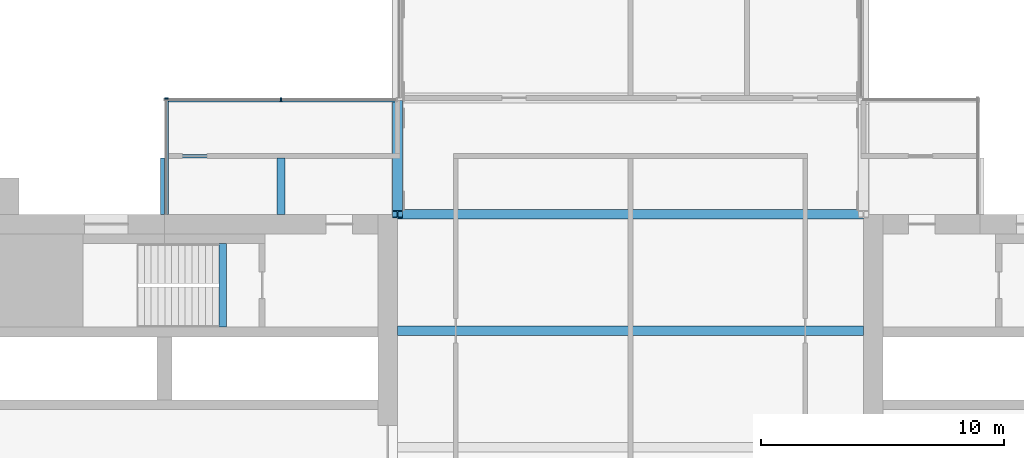
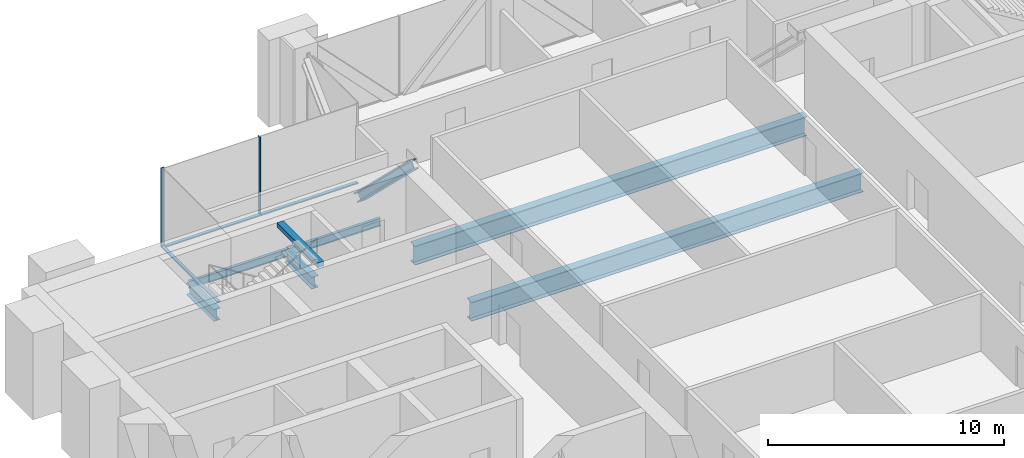
# One storey, part 5 of 13: 6 beams, 5 members, 2 elements without a shape of their own.
"""IFC4 building model written with IfcOpenShell, lengths in metres."""

import ifcopenshell
import ifcopenshell.guid

model = None  # the IFC model being written
_history = None  # IfcOwnerHistory: only IFC2X3 demands one
_inside = {}  # id of a spatial element -> (the spatial element, [elements in it])
_under = {}  # id of a project, library or spatial element -> (it, [spatial elements below it])
_declared = {}  # id of a project -> (the project, [libraries it declares])
_typed = {}  # id of a type object -> (the type object, [elements of that type])
_made_of = {}  # id of a material, layer set ... -> (it, [elements and type objects made of it])


def new_model(schema):
    """Start an empty IFC model of exactly this schema.

    Asked for "IFC4X3", IfcOpenShell would pick the latest addendum, in which some entities
    have other attributes; the version numbers below select the first issue.
    IFC2X3 requires an IfcOwnerHistory on every rooted entity: one is made here for all.
    """
    global model, _history
    if schema == "IFC4X3":
        model = ifcopenshell.file(schema_version=(4, 3, 0, 0))
    else:
        model = ifcopenshell.file(schema=schema)
    _inside.clear()
    _under.clear()
    _declared.clear()
    _typed.clear()
    _made_of.clear()
    _history = None
    if model.schema == "IFC2X3":
        org = make("IfcOrganization", Name="unknown")
        user = make(
            "IfcPersonAndOrganization",
            ThePerson=make("IfcPerson", FamilyName="unknown"),
            TheOrganization=org,
        )
        app = make(
            "IfcApplication",
            ApplicationDeveloper=org,
            Version="unknown",
            ApplicationFullName="unknown",
            ApplicationIdentifier="unknown",
        )
        _history = make(
            "IfcOwnerHistory",
            OwningUser=user,
            OwningApplication=app,
            ChangeAction="ADDED",
            CreationDate=0,
        )
    return model


def make(cls, **values):
    """One entity of the class cls with the attributes given. An attribute that is None is left unset."""
    return model.create_entity(
        cls, **{name: value for name, value in values.items() if value is not None}
    )


def rooted(cls, **values):
    """An entity with a GlobalId (a new one), such as an element, a storey or a relation."""
    return make(cls, GlobalId=ifcopenshell.guid.new(), OwnerHistory=_history, **values)


def si_unit(unit_type, name, prefix=None):
    """IfcSIUnit, for example si_unit("LENGTHUNIT", "METRE", prefix="MILLI")."""
    return make("IfcSIUnit", UnitType=unit_type, Prefix=prefix, Name=name)


def assignment(units):
    """IfcUnitAssignment: the units of a project."""
    return None if units is None else make("IfcUnitAssignment", Units=units)


def point(xyz):
    """IfcCartesianPoint."""
    return None if xyz is None else make("IfcCartesianPoint", Coordinates=xyz)


def direction(xyz):
    """IfcDirection."""
    return None if xyz is None else make("IfcDirection", DirectionRatios=xyz)


def frame(location, z_axis=None, x_axis=None):
    """IfcAxis2Placement3D, a coordinate frame: its origin and axes. An axis left out is left unset."""
    return make(
        "IfcAxis2Placement3D",
        Location=point(location),
        Axis=direction(z_axis),
        RefDirection=direction(x_axis),
    )


def frame_2d(location, x_axis=None):
    """IfcAxis2Placement2D, a coordinate frame in the plane: its origin and x axis."""
    return make(
        "IfcAxis2Placement2D", Location=point(location), RefDirection=direction(x_axis)
    )


def origin():
    """The frame at (0, 0, 0) with its axes left unset."""
    return frame((0.0, 0.0, 0.0))


def origin_2d():
    """The frame at (0, 0) in the plane with its x axis left unset."""
    return frame_2d((0.0, 0.0))


def place(relative_to, where):
    """IfcLocalPlacement: puts the frame where relative to a parent placement (None: the world)."""
    return make(
        "IfcLocalPlacement", PlacementRelTo=relative_to, RelativePlacement=where
    )


def context(
    kind, dimensions, precision=None, world=None, true_north=None, identifier=None
):
    """IfcGeometricRepresentationContext, for example the 3D "Model" context."""
    return make(
        "IfcGeometricRepresentationContext",
        ContextIdentifier=identifier,
        ContextType=kind,
        CoordinateSpaceDimension=dimensions,
        Precision=precision,
        WorldCoordinateSystem=world,
        TrueNorth=true_north,
    )


def subcontext(parent, identifier, kind, view, scale=None):
    """IfcGeometricRepresentationSubContext, for example "Body" below "Model"."""
    return make(
        "IfcGeometricRepresentationSubContext",
        ContextIdentifier=identifier,
        ContextType=kind,
        ParentContext=parent,
        TargetScale=scale,
        TargetView=view,
    )


def project(units=None, contexts=None):
    """IfcProject with its units and contexts."""
    return rooted(
        "IfcProject",
        Name="project",
        RepresentationContexts=contexts,
        UnitsInContext=assignment(units),
    )


def spatial(cls, under=None, at=None, **own):
    """A site, building, storey or space (cls), placed at a placement, below another one or the project."""
    s = rooted(cls, ObjectPlacement=at, **own)
    if under is not None:
        _under.setdefault(under.id(), (under, []))[1].append(s)
    return s


def profile(cls, at=None, kind="AREA", **sizes):
    """A parametric profile (cls). Its sizes go by their IFC names, for example OverallWidth=200.0."""
    return make(cls, ProfileType=kind, Position=at, **sizes)


def rectangle(**sizes):
    """IfcRectangleProfileDef."""
    return profile("IfcRectangleProfileDef", **sizes)


def i_section(**sizes):
    """IfcIShapeProfileDef."""
    return profile("IfcIShapeProfileDef", **sizes)


def extrude(swept, where, along, depth):
    """IfcExtrudedAreaSolid: the profile swept, set in the frame where, extruded along a direction by depth."""
    return make(
        "IfcExtrudedAreaSolid",
        SweptArea=swept,
        Position=where,
        ExtrudedDirection=direction(along),
        Depth=depth,
    )


def shape(context_of_items, identifier, shape_type, items):
    """IfcShapeRepresentation: the items that make up one representation, for example the "Body"."""
    return make(
        "IfcShapeRepresentation",
        ContextOfItems=context_of_items,
        RepresentationIdentifier=identifier,
        RepresentationType=shape_type,
        Items=items,
    )


def material(Name=None, Category=None):
    """IfcMaterial."""
    return make("IfcMaterial", Name=Name, Category=Category)


def material_profile(
    of_material, cross_section, Name=None, Category=None, Priority=None
):
    """IfcMaterialProfile: a cross section and its material."""
    return make(
        "IfcMaterialProfile",
        Name=Name,
        Material=of_material,
        Profile=cross_section,
        Priority=Priority,
        Category=Category,
    )


def profile_set(profiles, Name=None, composite=None):
    """IfcMaterialProfileSet."""
    return make(
        "IfcMaterialProfileSet",
        Name=Name,
        MaterialProfiles=profiles,
        CompositeProfile=composite,
    )


def made_of(thing, what):
    """Note that an element or type object is made of a material, layer set ...; save() writes the relation."""
    if what is not None:
        _made_of.setdefault(what.id(), (what, []))[1].append(thing)
    return thing


def type_object(cls, material=None, **own):
    """A type object (cls), such as IfcWallType, which elements share."""
    return made_of(rooted(cls, **own), material)


def element(
    cls,
    number,
    at=None,
    inside=None,
    cuts=None,
    type_object=None,
    material=None,
    context=None,
    identifier="Body",
    shape_type=None,
    held_by="IfcProductDefinitionShape",
    body=None,
    shapes=None,
    **own,
):
    """One element of the class cls, such as IfcWall. Its Tag is "e" and its number.

    at: its placement. inside: the storey or other place that contains it. cuts: it is an
    opening in that element (IfcRelVoidsElement). A single representation is given by context,
    identifier, shape_type and body (its items); several are given by shapes. held_by: the class
    of the entity that holds the representations. save() writes the other relations.
    """
    e = rooted(cls, Tag="e%d" % number, ObjectPlacement=at, **own)
    if body is not None:
        shapes = [shape(context, identifier, shape_type, body)]
    if shapes is not None:
        e.Representation = make(held_by, Representations=shapes)
    if inside is not None:
        _inside.setdefault(inside.id(), (inside, []))[1].append(e)
    if cuts is not None:
        rooted(
            "IfcRelVoidsElement", RelatingBuildingElement=cuts, RelatedOpeningElement=e
        )
    if type_object is not None:
        _typed.setdefault(type_object.id(), (type_object, []))[1].append(e)
    return made_of(e, material)


def aggregate(whole, parts):
    """IfcRelAggregates: a whole, such as a stair, and the parts it consists of."""
    return rooted("IfcRelAggregates", RelatingObject=whole, RelatedObjects=parts)


def save(model, path):
    """Write the relations noted so far, then the file.

    IfcRelAggregates (storeys below a building ...), IfcRelContainedInSpatialStructure (elements
    in a storey), IfcRelDefinesByType, IfcRelAssociatesMaterial and IfcRelDeclares: one each for
    every whole, place, type object, material and project.
    """
    for whole, parts in _under.values():
        aggregate(whole, parts)
    for where, things in _inside.values():
        rooted(
            "IfcRelContainedInSpatialStructure",
            RelatedElements=things,
            RelatingStructure=where,
        )
    for kind, things in _typed.values():
        rooted("IfcRelDefinesByType", RelatedObjects=things, RelatingType=kind)
    for what, things in _made_of.values():
        rooted("IfcRelAssociatesMaterial", RelatedObjects=things, RelatingMaterial=what)
    for by, libraries in _declared.values():
        rooted("IfcRelDeclares", RelatingContext=by, RelatedDefinitions=libraries)
    model.write(path)


model = new_model("IFC4")

# Units and contexts
model_context = context("Model", 3, precision=1e-05, world=origin(), true_north=direction((0.0, 1.0)))
body_context = subcontext(model_context, "Body", "Model", "MODEL_VIEW")
ifc_project = project(units=[si_unit("LENGTHUNIT", "METRE"), si_unit("AREAUNIT", "SQUARE_METRE"), si_unit("VOLUMEUNIT", "CUBIC_METRE"), si_unit("PLANEANGLEUNIT", "RADIAN"), si_unit("MASSUNIT", "GRAM", prefix="KILO")], contexts=[model_context])

# Site, building, storey
site_placement = place(None, origin())
site = spatial("IfcSite", under=ifc_project, at=site_placement, CompositionType="ELEMENT")
building_placement = place(site_placement, origin())
building = spatial("IfcBuilding", under=site, at=building_placement, Name="Baori Bourse Tower", CompositionType="ELEMENT")
storey_placement = place(building_placement, frame((0.0, 0.0, 265.199951171875)))
storey = spatial("IfcBuildingStorey", under=building, at=storey_placement, Name="L59", CompositionType="ELEMENT", Elevation=265.199951171875)

# Curtain wall, member
ifc_material_1 = material(Name="Pale anodised aluminium", Category="aluminium")
curtain_wall_type = type_object("IfcCurtainWallType", Name="CW3 Curtain wall", PredefinedType="NOTDEFINED", material=ifc_material_1)
curtain_wall_1_placement = place(storey_placement, origin())
curtain_wall_1 = element("IfcCurtainWall", 1, at=curtain_wall_1_placement, inside=storey, type_object=curtain_wall_type, Name="Curtain wall CW3 L59 6", PredefinedType="NOTDEFINED")
ifc_material_2 = material(Name="Pale anodised aluminium", Category="aluminium")
ifc_material_profile_1 = material_profile(ifc_material_2, rectangle(XDim=0.159912109375, YDim=0.050048828125, at=origin_2d()), Name="Mullion 50x160")
ifc_profile_set_1 = profile_set([ifc_material_profile_1], Name="Pale anodised aluminium")
member_type_1 = type_object("IfcMemberType", Name="CW3 Curtain wall mullion", PredefinedType="MULLION", material=ifc_profile_set_1)
member_1_placement = place(storey_placement, frame((14.39990234375, 43.1201171875, 0.06005859375), z_axis=(0.0, 0.0, 1.0), x_axis=(0.0, -1.0, 0.0)))
member_1 = element("IfcMember", 2, at=member_1_placement, type_object=member_type_1, Name="Curtain wall CW3 mullion", PredefinedType="MULLION", context=body_context, shape_type="SweptSolid", body=[
    extrude(rectangle(XDim=0.159912109375, YDim=0.050048828125, at=origin_2d()), origin(), (0.0, 0.0, 1.0), 4.0400390625),
])

curtain_wall_2_placement = place(storey_placement, origin())
curtain_wall_2 = element("IfcCurtainWall", 3, at=curtain_wall_2_placement, inside=storey, type_object=curtain_wall_type, Name="Curtain wall CW3 L59 7", PredefinedType="NOTDEFINED")
member_2_placement = place(storey_placement, frame((9.679931640625, 43.175048828125, 0.06005859375), z_axis=(0.0, 0.0, 1.0), x_axis=(1.0, 0.0, 0.0)))
member_2 = element("IfcMember", 4, at=member_2_placement, type_object=member_type_1, Name="Curtain wall CW3 mullion", PredefinedType="MULLION", context=body_context, shape_type="SweptSolid", body=[
    extrude(rectangle(XDim=0.159912109375, YDim=0.050048828125, at=origin_2d()), origin(), (0.0, 0.0, 1.0), 4.0400390625),
])

# Member
ifc_material_3 = material(Name="Pale anodised aluminium", Category="aluminium")
ifc_material_profile_2 = material_profile(ifc_material_3, rectangle(XDim=0.159912109375, YDim=0.06005859375, at=origin_2d()), Name="Transom 60x160")
ifc_profile_set_2 = profile_set([ifc_material_profile_2], Name="Pale anodised aluminium")
member_type_2 = type_object("IfcMemberType", Name="CW3 Curtain wall transom", PredefinedType="USERDEFINED", material=ifc_profile_set_2)
member_3_placement = place(storey_placement, frame((19.199951171875, 43.1201171875, 0.030029296875), z_axis=(-1.0, 0.0, 0.0), x_axis=(0.0, -1.0, 0.0)))
member_3 = element("IfcMember", 5, at=member_3_placement, type_object=member_type_2, Name="Curtain wall CW3 sill rail", ObjectType="TRANSOM", PredefinedType="USERDEFINED", context=body_context, shape_type="SweptSolid", body=[
    extrude(rectangle(XDim=0.159912109375, YDim=0.06005859375, at=origin_2d()), origin(), (0.0, 0.0, 1.0), 9.599853515625),
])

aggregate(curtain_wall_1, [member_3, member_1])

member_4_placement = place(storey_placement, frame((9.679931640625, 43.199951171875, 0.030029296875), z_axis=(0.0, -1.0, 0.0), x_axis=(1.0, 0.0, 0.0)))
member_4 = element("IfcMember", 6, at=member_4_placement, type_object=member_type_2, Name="Curtain wall CW3 sill rail", ObjectType="TRANSOM", PredefinedType="USERDEFINED", context=body_context, shape_type="SweptSolid", body=[
    extrude(rectangle(XDim=0.159912109375, YDim=0.06005859375, at=origin_2d()), origin(), (0.0, 0.0, 1.0), 4.800048828125),
])

aggregate(curtain_wall_2, [member_4, member_2])

# Beams
ifc_material_4 = material(Name="Steel A992 Gr 50", Category="steel")
ifc_material_profile_3 = material_profile(ifc_material_4, i_section(OverallWidth=0.3251953125, OverallDepth=0.612060546875, WebThickness=0.0126953125, FlangeThickness=0.01904296875, at=origin_2d()), Name="W24x104")
ifc_profile_set_3 = profile_set([ifc_material_profile_3], Name="Steel A992 Gr 50")
beam_type_1 = type_object("IfcBeamType", Name="Core bracket W24x104", PredefinedType="BEAM", material=ifc_profile_set_3)
for number, where, z_axis, x_axis, name in (
    (7, (9.60009765625, 38.39990234375, -0.60595703125), (0.0, 1.0, 0.0), (-1.0, 0.0, 0.0), "Core bracket L59"),
    (8, (14.39990234375, 38.39990234375, -0.60595703125), (0.0, 1.0, 0.0), (-1.0, 0.0, 0.0), "Core bracket L59"),
):
    element("IfcBeam", number, at=place(storey_placement, frame(where, z_axis=z_axis, x_axis=x_axis)), inside=storey, type_object=beam_type_1, Name=name, PredefinedType="BEAM", context=body_context, shape_type="SweptSolid", body=[
        extrude(i_section(OverallWidth=0.3251953125, OverallDepth=0.612060546875, WebThickness=0.0126953125, FlangeThickness=0.01904296875, at=origin_2d()), origin(), (0.0, 0.0, 1.0), 2.329833984375),
    ])
ifc_material_5 = material(Name="Steel A992 Gr 50", Category="steel")
ifc_material_profile_4 = material_profile(ifc_material_5, i_section(OverallWidth=0.4013671875, OverallDepth=0.990478515625, WebThickness=0.0166015625, FlangeThickness=0.031005859375, at=origin_2d()), Name="W40x215")
ifc_profile_set_4 = profile_set([ifc_material_profile_4], Name="Steel A992 Gr 50")
beam_type_2 = type_object("IfcBeamType", Name="Floor beam W40x215", PredefinedType="BEAM", material=ifc_profile_set_4)
for number, where, z_axis, x_axis, name in (
    (9, (19.199951171875, 33.60009765625, -0.795166015625), (1.0, 0.0, 0.0), (0.0, 1.0, 0.0), "Floor beam L59"),
    (10, (19.199951171875, 38.39990234375, -0.795166015625), (1.0, 0.0, 0.0), (0.0, 1.0, 0.0), "Floor beam L59"),
):
    element("IfcBeam", number, at=place(storey_placement, frame(where, z_axis=z_axis, x_axis=x_axis)), inside=storey, type_object=beam_type_2, Name=name, PredefinedType="BEAM", context=body_context, shape_type="SweptSolid", body=[
        extrude(i_section(OverallWidth=0.4013671875, OverallDepth=0.990478515625, WebThickness=0.0166015625, FlangeThickness=0.031005859375, at=origin_2d()), origin(), (0.0, 0.0, 1.0), 19.199951171875),
    ])

# Member
ifc_material_6 = material(Name="Steel A913 Gr 65", Category="steel")
ifc_material_profile_5 = material_profile(ifc_material_6, i_section(OverallWidth=0.419189453125, OverallDepth=0.45458984375, WebThickness=0.042236328125, FlangeThickness=0.067626953125, at=origin_2d()), Name="W14x370")
ifc_profile_set_5 = profile_set([ifc_material_profile_5], Name="Steel A913 Gr 65")
member_type_3 = type_object("IfcMemberType", Name="Outrigger truss diagonal W14x370", PredefinedType="BRACE", material=ifc_profile_set_5)
member_5_placement = place(storey_placement, frame((19.199951171875, 38.39990234375, 3.815673828125), z_axis=(0.0, 0.71693960417, -0.697135283839), x_axis=(-1.0, 0.0, 0.0)))
element("IfcMember", 11, at=member_5_placement, inside=storey, type_object=member_type_3, Name="Outrigger truss diagonal L59", PredefinedType="BRACE", context=body_context, shape_type="SweptSolid", body=[
    extrude(i_section(OverallWidth=0.419189453125, OverallDepth=0.45458984375, WebThickness=0.042236328125, FlangeThickness=0.067626953125, at=origin_2d()), origin(), (0.0, 0.0, 1.0), 6.311767578125),
])

# Beams
ifc_material_7 = material(Name="Concrete f'c 50 MPa", Category="concrete")
ifc_material_profile_6 = material_profile(ifc_material_7, rectangle(XDim=0.300048828125, YDim=0.25, at=origin_2d()), Name="RC 300x250")
ifc_profile_set_6 = profile_set([ifc_material_profile_6], Name="Concrete f'c 50 MPa")
beam_type_3 = type_object("IfcBeamType", Name="Stair nib beam RC 300x250", PredefinedType="BEAM", material=ifc_profile_set_6)
beam_1_placement = place(storey_placement, frame((12.0, 33.75, 3.97509765625), z_axis=(0.0, 1.0, 0.0), x_axis=(-1.0, 0.0, 0.0)))
element("IfcBeam", 12, at=beam_1_placement, inside=storey, type_object=beam_type_3, Name="Stair WB nib beam L60", PredefinedType="BEAM", context=body_context, shape_type="SweptSolid", body=[
    extrude(rectangle(XDim=0.300048828125, YDim=0.25, at=origin_2d()), origin(), (0.0, 0.0, 1.0), 3.449951171875),
])
ifc_material_8 = material(Name="Steel A992 Gr 50", Category="steel")
ifc_material_profile_7 = material_profile(ifc_material_8, i_section(OverallWidth=0.140380859375, OverallDepth=0.40380859375, WebThickness=0.007080078125, FlangeThickness=0.01123046875, at=origin_2d()), Name="W16x31")
ifc_profile_set_7 = profile_set([ifc_material_profile_7], Name="Steel A992 Gr 50")
beam_type_4 = type_object("IfcBeamType", Name="Trimmer beam W16x31", PredefinedType="BEAM", material=ifc_profile_set_7)
beam_2_placement = place(storey_placement, frame((9.60009765625, 40.800048828125, -0.501953125), z_axis=(1.0, 0.0, 0.0), x_axis=(0.0, 1.0, 0.0)))
element("IfcBeam", 13, at=beam_2_placement, inside=storey, type_object=beam_type_4, Name="Trimmer beam L59", PredefinedType="BEAM", context=body_context, shape_type="SweptSolid", body=[
    extrude(i_section(OverallWidth=0.140380859375, OverallDepth=0.40380859375, WebThickness=0.007080078125, FlangeThickness=0.01123046875, at=origin_2d()), origin(), (0.0, 0.0, 1.0), 9.37255859375),
])

save(model, "model.ifc")
